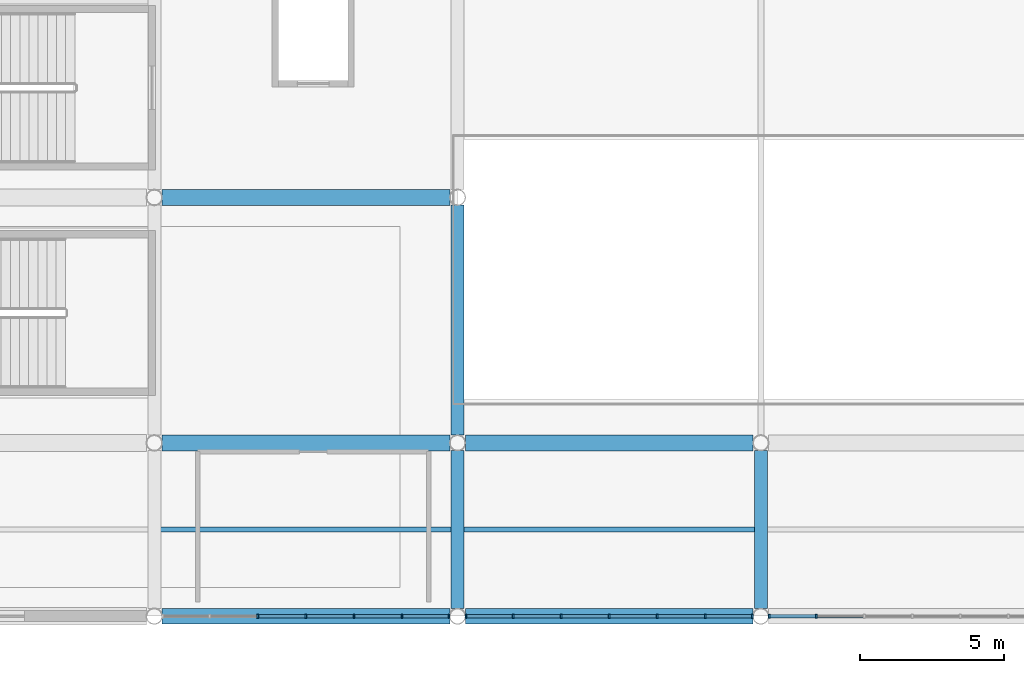
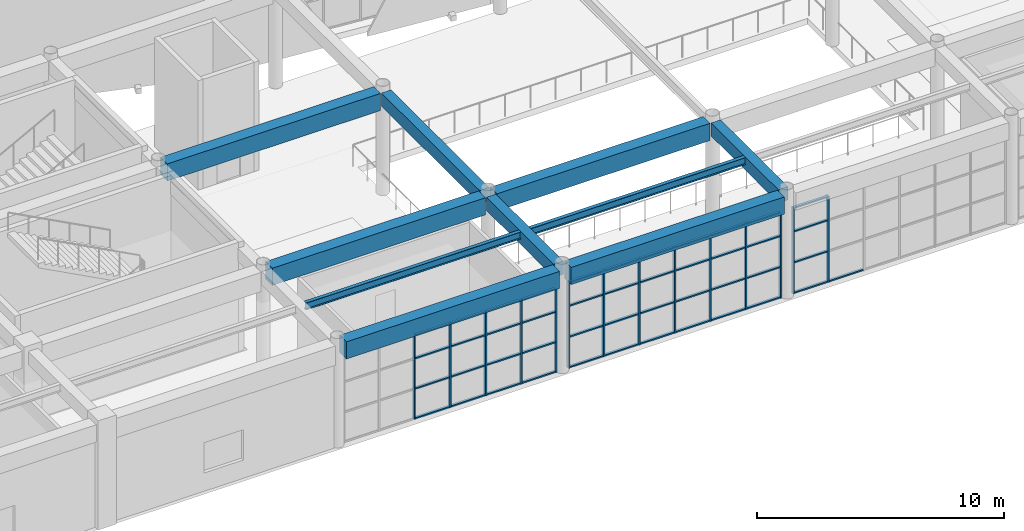
# One storey, part 22 of 120: 59 members, 10 beams, 3 elements without a shape of their own.
"""IFC4 building model written with IfcOpenShell, lengths in metres."""

from ifc_helpers import new_model, si_unit, direction, frame, origin, origin_2d, place, context, subcontext, project, spatial, rectangle, i_section, extrude, material, material_profile, profile_set, type_object, element, aggregate, save


model = new_model("IFC4")

# Units and contexts
model_context = context("Model", 3, precision=1e-05, world=origin(), true_north=direction((0.0, 1.0)))
body_context = subcontext(model_context, "Body", "Model", "MODEL_VIEW")
ifc_project = project(units=[si_unit("LENGTHUNIT", "METRE"), si_unit("AREAUNIT", "SQUARE_METRE"), si_unit("VOLUMEUNIT", "CUBIC_METRE"), si_unit("PLANEANGLEUNIT", "RADIAN"), si_unit("MASSUNIT", "GRAM", prefix="KILO")], contexts=[model_context])

# Site, building, storey
site_placement = place(None, origin())
site = spatial("IfcSite", under=ifc_project, at=site_placement, CompositionType="ELEMENT")
building_placement = place(site_placement, origin())
building = spatial("IfcBuilding", under=site, at=building_placement, Name="Cuetzalor Civic Arena", CompositionType="ELEMENT")
storey_placement = place(building_placement, frame((0.0, 0.0, 6.0)))
storey = spatial("IfcBuildingStorey", under=building, at=storey_placement, Name="L01", CompositionType="ELEMENT", Elevation=6.0)

# Beams
ifc_material_1 = material(Name="Concrete C40/50", Category="concrete")
ifc_material_profile_1 = material_profile(ifc_material_1, rectangle(XDim=0.550048828125, YDim=0.85009765625, at=origin_2d()), Name="RC 550x850")
ifc_profile_set_1 = profile_set([ifc_material_profile_1], Name="Concrete C40/50")
beam_type_1 = type_object("IfcBeamType", Name="ConcreteFrameBeam_550x850", PredefinedType="BEAM", material=ifc_profile_set_1)
for number, where, z_axis, x_axis, name in (
    (1, (-20.73046875, -71.5, 4.695068359375), (1.0, 0.0, 0.0), (0.0, 1.0, 0.0), "Frame Girder V3-L01-X0291"),
    (2, (-10.23046875, -71.5, 4.695068359375), (1.0, 0.0, 0.0), (0.0, 1.0, 0.0), "Frame Girder V3-L01-X0292"),
    (3, (-20.73046875, -65.5, 4.695068359375), (1.0, 0.0, 0.0), (0.0, 1.0, 0.0), "Frame Girder V3-L01-X0299"),
    (4, (-10.23046875, -65.5, 4.695068359375), (1.0, 0.0, 0.0), (0.0, 1.0, 0.0), "Frame Girder V3-L01-X0300"),
    (5, (-20.73046875, -57.0, 4.695068359375), (1.0, 0.0, 0.0), (0.0, 1.0, 0.0), "Frame Girder V3-L01-X0307"),
):
    element("IfcBeam", number, at=place(storey_placement, frame(where, z_axis=z_axis, x_axis=x_axis)), inside=storey, type_object=beam_type_1, Name=name, PredefinedType="BEAM", context=body_context, shape_type="SweptSolid", body=[
        extrude(rectangle(XDim=0.550048828125, YDim=0.85009765625, at=origin_2d()), origin(), (0.0, 0.0, 1.0), 9.9609375),
    ])
ifc_material_2 = material(Name="Concrete C40/50", Category="concrete")
ifc_material_profile_2 = material_profile(ifc_material_2, rectangle(XDim=0.449951171875, YDim=0.64990234375, at=origin_2d()), Name="RC 450x650")
ifc_profile_set_2 = profile_set([ifc_material_profile_2], Name="Concrete C40/50")
beam_type_2 = type_object("IfcBeamType", Name="ConcreteTieBeam_450x650", PredefinedType="BEAM", material=ifc_profile_set_2)
beam_1_placement = place(storey_placement, frame((-10.5, -71.23046875, 4.794921875), z_axis=(0.0, 1.0, 0.0), x_axis=(-1.0, 0.0, 0.0)))
element("IfcBeam", 6, at=beam_1_placement, inside=storey, type_object=beam_type_2, Name="Frame Girder V3-L01-Y0328", PredefinedType="BEAM", context=body_context, shape_type="SweptSolid", body=[
    extrude(rectangle(XDim=0.449951171875, YDim=0.64990234375, at=origin_2d()), origin(), (0.0, 0.0, 1.0), 5.4609375),
])
beam_2_placement = place(storey_placement, frame((-10.5, -65.23046875, 4.794921875), z_axis=(0.0, 1.0, 0.0), x_axis=(-1.0, 0.0, 0.0)))
element("IfcBeam", 7, at=beam_2_placement, inside=storey, type_object=beam_type_2, Name="Frame Girder V3-L01-Y0329", PredefinedType="BEAM", context=body_context, shape_type="SweptSolid", body=[
    extrude(rectangle(XDim=0.449951171875, YDim=0.64990234375, at=origin_2d()), origin(), (0.0, 0.0, 1.0), 7.9609375),
])
beam_3_placement = place(storey_placement, frame((0.0, -71.23046875, 4.794921875), z_axis=(0.0, 1.0, 0.0), x_axis=(-1.0, 0.0, 0.0)))
element("IfcBeam", 8, at=beam_3_placement, inside=storey, type_object=beam_type_2, Name="Frame Girder V3-L01-Y0331", PredefinedType="BEAM", context=body_context, shape_type="SweptSolid", body=[
    extrude(rectangle(XDim=0.449951171875, YDim=0.64990234375, at=origin_2d()), origin(), (0.0, 0.0, 1.0), 5.4609375),
])

# Curtain wall, members
ifc_material_3 = material(Name="Anodised dark bronze aluminium and low-E solar glass", Category="aluminium")
curtain_wall_type_1 = type_object("IfcCurtainWallType", Name="StickCW_10000x4150", PredefinedType="USERDEFINED", material=ifc_material_3)
curtain_wall_1_placement = place(storey_placement, origin())
curtain_wall_1 = element("IfcCurtainWall", 9, at=curtain_wall_1_placement, inside=storey, type_object=curtain_wall_type_1, Name="South Civic Square Curtain Wall L01-083", ObjectType="STICK CURTAIN WALL", PredefinedType="USERDEFINED")
ifc_material_4 = material(Name="Anodised dark bronze aluminium", Category="aluminium")
ifc_material_profile_3 = material_profile(ifc_material_4, rectangle(XDim=0.06494140625, YDim=0.14990234375, at=origin_2d()), Name="ALU MULLION 65x150")
ifc_profile_set_3 = profile_set([ifc_material_profile_3], Name="Anodised dark bronze aluminium")
member_type_1 = type_object("IfcMemberType", Name="CurtainWallMullion_60x150", PredefinedType="MULLION", material=ifc_profile_set_3)
member_1_placement = place(storey_placement, frame((-10.7939453125, -71.5, 0.0), z_axis=(0.0, 0.0, 1.0), x_axis=(-1.0, 0.0, 0.0)))
member_1 = element("IfcMember", 10, at=member_1_placement, type_object=member_type_1, Name="CW-25 mullion 1", PredefinedType="MULLION", context=body_context, shape_type="SweptSolid", body=[
    extrude(rectangle(XDim=0.06494140625, YDim=0.14990234375, at=origin_2d()), origin(), (0.0, 0.0, 1.0), 4.159912109375),
])
member_2_placement = place(storey_placement, frame((-12.42431640625, -71.5, 0.0), z_axis=(0.0, 0.0, 1.0), x_axis=(-1.0, 0.0, 0.0)))
member_2 = element("IfcMember", 11, at=member_2_placement, type_object=member_type_1, Name="CW-25 mullion 2", PredefinedType="MULLION", context=body_context, shape_type="SweptSolid", body=[
    extrude(rectangle(XDim=0.06494140625, YDim=0.14990234375, at=origin_2d()), origin(), (0.0, 0.0, 1.0), 4.159912109375),
])
member_3_placement = place(storey_placement, frame((-14.087158203125, -71.5, 0.0), z_axis=(0.0, 0.0, 1.0), x_axis=(-1.0, 0.0, 0.0)))
member_3 = element("IfcMember", 12, at=member_3_placement, type_object=member_type_1, Name="CW-25 mullion 3", PredefinedType="MULLION", context=body_context, shape_type="SweptSolid", body=[
    extrude(rectangle(XDim=0.06494140625, YDim=0.14990234375, at=origin_2d()), origin(), (0.0, 0.0, 1.0), 4.159912109375),
])
member_4_placement = place(storey_placement, frame((-15.75, -71.5, 0.0), z_axis=(0.0, 0.0, 1.0), x_axis=(-1.0, 0.0, 0.0)))
member_4 = element("IfcMember", 13, at=member_4_placement, type_object=member_type_1, Name="CW-25 mullion 4", PredefinedType="MULLION", context=body_context, shape_type="SweptSolid", body=[
    extrude(rectangle(XDim=0.06494140625, YDim=0.14990234375, at=origin_2d()), origin(), (0.0, 0.0, 1.0), 4.159912109375),
])
member_5_placement = place(storey_placement, frame((-17.412841796875, -71.5, 0.0), z_axis=(0.0, 0.0, 1.0), x_axis=(-1.0, 0.0, 0.0)))
member_5 = element("IfcMember", 14, at=member_5_placement, type_object=member_type_1, Name="CW-25 mullion 5", PredefinedType="MULLION", context=body_context, shape_type="SweptSolid", body=[
    extrude(rectangle(XDim=0.06494140625, YDim=0.14990234375, at=origin_2d()), origin(), (0.0, 0.0, 1.0), 4.159912109375),
])

ifc_material_5 = material(Name="Anodised dark bronze aluminium and low-E solar glass", Category="aluminium")
curtain_wall_type_2 = type_object("IfcCurtainWallType", Name="StickCW_10000x4250", PredefinedType="USERDEFINED", material=ifc_material_5)
curtain_wall_2_placement = place(storey_placement, origin())
curtain_wall_2 = element("IfcCurtainWall", 15, at=curtain_wall_2_placement, inside=storey, type_object=curtain_wall_type_2, Name="South Civic Square Curtain Wall L01-084", ObjectType="STICK CURTAIN WALL", PredefinedType="USERDEFINED")
member_6_placement = place(storey_placement, frame((-0.2939453125, -71.5, 0.0), z_axis=(0.0, 0.0, 1.0), x_axis=(-1.0, 0.0, 0.0)))
member_6 = element("IfcMember", 16, at=member_6_placement, type_object=member_type_1, Name="CW-26 mullion 1", PredefinedType="MULLION", context=body_context, shape_type="SweptSolid", body=[
    extrude(rectangle(XDim=0.06494140625, YDim=0.14990234375, at=origin_2d()), origin(), (0.0, 0.0, 1.0), 4.260009765625),
])
member_7_placement = place(storey_placement, frame((-1.92431640625, -71.5, 0.0), z_axis=(0.0, 0.0, 1.0), x_axis=(-1.0, 0.0, 0.0)))
member_7 = element("IfcMember", 17, at=member_7_placement, type_object=member_type_1, Name="CW-26 mullion 2", PredefinedType="MULLION", context=body_context, shape_type="SweptSolid", body=[
    extrude(rectangle(XDim=0.06494140625, YDim=0.14990234375, at=origin_2d()), origin(), (0.0, 0.0, 1.0), 4.260009765625),
])
member_8_placement = place(storey_placement, frame((-3.587158203125, -71.5, 0.0), z_axis=(0.0, 0.0, 1.0), x_axis=(-1.0, 0.0, 0.0)))
member_8 = element("IfcMember", 18, at=member_8_placement, type_object=member_type_1, Name="CW-26 mullion 3", PredefinedType="MULLION", context=body_context, shape_type="SweptSolid", body=[
    extrude(rectangle(XDim=0.06494140625, YDim=0.14990234375, at=origin_2d()), origin(), (0.0, 0.0, 1.0), 4.260009765625),
])
member_9_placement = place(storey_placement, frame((-5.25, -71.5, 0.0), z_axis=(0.0, 0.0, 1.0), x_axis=(-1.0, 0.0, 0.0)))
member_9 = element("IfcMember", 19, at=member_9_placement, type_object=member_type_1, Name="CW-26 mullion 4", PredefinedType="MULLION", context=body_context, shape_type="SweptSolid", body=[
    extrude(rectangle(XDim=0.06494140625, YDim=0.14990234375, at=origin_2d()), origin(), (0.0, 0.0, 1.0), 4.260009765625),
])
member_10_placement = place(storey_placement, frame((-6.912841796875, -71.5, 0.0), z_axis=(0.0, 0.0, 1.0), x_axis=(-1.0, 0.0, 0.0)))
member_10 = element("IfcMember", 20, at=member_10_placement, type_object=member_type_1, Name="CW-26 mullion 5", PredefinedType="MULLION", context=body_context, shape_type="SweptSolid", body=[
    extrude(rectangle(XDim=0.06494140625, YDim=0.14990234375, at=origin_2d()), origin(), (0.0, 0.0, 1.0), 4.260009765625),
])
member_11_placement = place(storey_placement, frame((-8.57568359375, -71.5, 0.0), z_axis=(0.0, 0.0, 1.0), x_axis=(-1.0, 0.0, 0.0)))
member_11 = element("IfcMember", 21, at=member_11_placement, type_object=member_type_1, Name="CW-26 mullion 6", PredefinedType="MULLION", context=body_context, shape_type="SweptSolid", body=[
    extrude(rectangle(XDim=0.06494140625, YDim=0.14990234375, at=origin_2d()), origin(), (0.0, 0.0, 1.0), 4.260009765625),
])
member_12_placement = place(storey_placement, frame((-10.2060546875, -71.5, 0.0), z_axis=(0.0, 0.0, 1.0), x_axis=(-1.0, 0.0, 0.0)))
member_12 = element("IfcMember", 22, at=member_12_placement, type_object=member_type_1, Name="CW-26 mullion 7", PredefinedType="MULLION", context=body_context, shape_type="SweptSolid", body=[
    extrude(rectangle(XDim=0.06494140625, YDim=0.14990234375, at=origin_2d()), origin(), (0.0, 0.0, 1.0), 4.260009765625),
])

curtain_wall_3_placement = place(storey_placement, origin())
curtain_wall_3 = element("IfcCurtainWall", 23, at=curtain_wall_3_placement, inside=storey, type_object=curtain_wall_type_2, Name="South Civic Square Curtain Wall L01-085", ObjectType="STICK CURTAIN WALL", PredefinedType="USERDEFINED")
member_13_placement = place(storey_placement, frame((1.92431640625, -71.5, 0.0), z_axis=(0.0, 0.0, 1.0), x_axis=(-1.0, 0.0, 0.0)))
member_13 = element("IfcMember", 24, at=member_13_placement, type_object=member_type_1, Name="CW-26 mullion 6", PredefinedType="MULLION", context=body_context, shape_type="SweptSolid", body=[
    extrude(rectangle(XDim=0.06494140625, YDim=0.14990234375, at=origin_2d()), origin(), (0.0, 0.0, 1.0), 4.260009765625),
])
member_14_placement = place(storey_placement, frame((0.2939453125, -71.5, 0.0), z_axis=(0.0, 0.0, 1.0), x_axis=(-1.0, 0.0, 0.0)))
member_14 = element("IfcMember", 25, at=member_14_placement, type_object=member_type_1, Name="CW-26 mullion 7", PredefinedType="MULLION", context=body_context, shape_type="SweptSolid", body=[
    extrude(rectangle(XDim=0.06494140625, YDim=0.14990234375, at=origin_2d()), origin(), (0.0, 0.0, 1.0), 4.260009765625),
])

# Member
ifc_material_6 = material(Name="Anodised dark bronze aluminium", Category="aluminium")
ifc_material_profile_4 = material_profile(ifc_material_6, rectangle(XDim=0.1201171875, YDim=0.06494140625, at=origin_2d()), Name="ALU TRANSOM 65x120")
ifc_profile_set_4 = profile_set([ifc_material_profile_4], Name="Anodised dark bronze aluminium")
member_type_2 = type_object("IfcMemberType", Name="CurtainWallTransom_60x120", PredefinedType="USERDEFINED", material=ifc_profile_set_4)
member_15_placement = place(storey_placement, frame((-10.826416015625, -71.5, 0.032470703125), z_axis=(-1.0, 0.0, 0.0), x_axis=(0.0, -1.0, 0.0)))
member_15 = element("IfcMember", 26, at=member_15_placement, type_object=member_type_2, Name="CW-25 transom 1.1", ObjectType="TRANSOM", PredefinedType="USERDEFINED", context=body_context, shape_type="SweptSolid", body=[
    extrude(rectangle(XDim=0.1201171875, YDim=0.06494140625, at=origin_2d()), origin(), (0.0, 0.0, 1.0), 1.5654296875),
])

member_16_placement = place(storey_placement, frame((-10.826416015625, -71.5, 1.498046875), z_axis=(-1.0, 0.0, 0.0), x_axis=(0.0, -1.0, 0.0)))
member_16 = element("IfcMember", 27, at=member_16_placement, type_object=member_type_2, Name="CW-25 transom 1.2", ObjectType="TRANSOM", PredefinedType="USERDEFINED", context=body_context, shape_type="SweptSolid", body=[
    extrude(rectangle(XDim=0.1201171875, YDim=0.06494140625, at=origin_2d()), origin(), (0.0, 0.0, 1.0), 1.5654296875),
])

member_17_placement = place(storey_placement, frame((-10.826416015625, -71.5, 2.9951171875), z_axis=(-1.0, 0.0, 0.0), x_axis=(0.0, -1.0, 0.0)))
member_17 = element("IfcMember", 28, at=member_17_placement, type_object=member_type_2, Name="CW-25 transom 1.3", ObjectType="TRANSOM", PredefinedType="USERDEFINED", context=body_context, shape_type="SweptSolid", body=[
    extrude(rectangle(XDim=0.1201171875, YDim=0.06494140625, at=origin_2d()), origin(), (0.0, 0.0, 1.0), 1.5654296875),
])

member_18_placement = place(storey_placement, frame((-10.826416015625, -71.5, 4.12744140625), z_axis=(-1.0, 0.0, 0.0), x_axis=(0.0, -1.0, 0.0)))
member_18 = element("IfcMember", 29, at=member_18_placement, type_object=member_type_2, Name="CW-25 transom 1.4", ObjectType="TRANSOM", PredefinedType="USERDEFINED", context=body_context, shape_type="SweptSolid", body=[
    extrude(rectangle(XDim=0.1201171875, YDim=0.06494140625, at=origin_2d()), origin(), (0.0, 0.0, 1.0), 1.5654296875),
])

member_19_placement = place(storey_placement, frame((-12.456787109375, -71.5, 0.032470703125), z_axis=(-1.0, 0.0, 0.0), x_axis=(0.0, -1.0, 0.0)))
member_19 = element("IfcMember", 30, at=member_19_placement, type_object=member_type_2, Name="CW-25 transom 2.1", ObjectType="TRANSOM", PredefinedType="USERDEFINED", context=body_context, shape_type="SweptSolid", body=[
    extrude(rectangle(XDim=0.1201171875, YDim=0.06494140625, at=origin_2d()), origin(), (0.0, 0.0, 1.0), 1.597900390625),
])

member_20_placement = place(storey_placement, frame((-12.456787109375, -71.5, 1.498046875), z_axis=(-1.0, 0.0, 0.0), x_axis=(0.0, -1.0, 0.0)))
member_20 = element("IfcMember", 31, at=member_20_placement, type_object=member_type_2, Name="CW-25 transom 2.2", ObjectType="TRANSOM", PredefinedType="USERDEFINED", context=body_context, shape_type="SweptSolid", body=[
    extrude(rectangle(XDim=0.1201171875, YDim=0.06494140625, at=origin_2d()), origin(), (0.0, 0.0, 1.0), 1.597900390625),
])

member_21_placement = place(storey_placement, frame((-12.456787109375, -71.5, 2.9951171875), z_axis=(-1.0, 0.0, 0.0), x_axis=(0.0, -1.0, 0.0)))
member_21 = element("IfcMember", 32, at=member_21_placement, type_object=member_type_2, Name="CW-25 transom 2.3", ObjectType="TRANSOM", PredefinedType="USERDEFINED", context=body_context, shape_type="SweptSolid", body=[
    extrude(rectangle(XDim=0.1201171875, YDim=0.06494140625, at=origin_2d()), origin(), (0.0, 0.0, 1.0), 1.597900390625),
])

member_22_placement = place(storey_placement, frame((-12.456787109375, -71.5, 4.12744140625), z_axis=(-1.0, 0.0, 0.0), x_axis=(0.0, -1.0, 0.0)))
member_22 = element("IfcMember", 33, at=member_22_placement, type_object=member_type_2, Name="CW-25 transom 2.4", ObjectType="TRANSOM", PredefinedType="USERDEFINED", context=body_context, shape_type="SweptSolid", body=[
    extrude(rectangle(XDim=0.1201171875, YDim=0.06494140625, at=origin_2d()), origin(), (0.0, 0.0, 1.0), 1.597900390625),
])

member_23_placement = place(storey_placement, frame((-14.11962890625, -71.5, 0.032470703125), z_axis=(-1.0, 0.0, 0.0), x_axis=(0.0, -1.0, 0.0)))
member_23 = element("IfcMember", 34, at=member_23_placement, type_object=member_type_2, Name="CW-25 transom 3.1", ObjectType="TRANSOM", PredefinedType="USERDEFINED", context=body_context, shape_type="SweptSolid", body=[
    extrude(rectangle(XDim=0.1201171875, YDim=0.06494140625, at=origin_2d()), origin(), (0.0, 0.0, 1.0), 1.597900390625),
])

member_24_placement = place(storey_placement, frame((-14.11962890625, -71.5, 1.498046875), z_axis=(-1.0, 0.0, 0.0), x_axis=(0.0, -1.0, 0.0)))
member_24 = element("IfcMember", 35, at=member_24_placement, type_object=member_type_2, Name="CW-25 transom 3.2", ObjectType="TRANSOM", PredefinedType="USERDEFINED", context=body_context, shape_type="SweptSolid", body=[
    extrude(rectangle(XDim=0.1201171875, YDim=0.06494140625, at=origin_2d()), origin(), (0.0, 0.0, 1.0), 1.597900390625),
])

member_25_placement = place(storey_placement, frame((-14.11962890625, -71.5, 2.9951171875), z_axis=(-1.0, 0.0, 0.0), x_axis=(0.0, -1.0, 0.0)))
member_25 = element("IfcMember", 36, at=member_25_placement, type_object=member_type_2, Name="CW-25 transom 3.3", ObjectType="TRANSOM", PredefinedType="USERDEFINED", context=body_context, shape_type="SweptSolid", body=[
    extrude(rectangle(XDim=0.1201171875, YDim=0.06494140625, at=origin_2d()), origin(), (0.0, 0.0, 1.0), 1.597900390625),
])

member_26_placement = place(storey_placement, frame((-14.11962890625, -71.5, 4.12744140625), z_axis=(-1.0, 0.0, 0.0), x_axis=(0.0, -1.0, 0.0)))
member_26 = element("IfcMember", 37, at=member_26_placement, type_object=member_type_2, Name="CW-25 transom 3.4", ObjectType="TRANSOM", PredefinedType="USERDEFINED", context=body_context, shape_type="SweptSolid", body=[
    extrude(rectangle(XDim=0.1201171875, YDim=0.06494140625, at=origin_2d()), origin(), (0.0, 0.0, 1.0), 1.597900390625),
])

member_27_placement = place(storey_placement, frame((-15.782470703125, -71.5, 0.032470703125), z_axis=(-1.0, 0.0, 0.0), x_axis=(0.0, -1.0, 0.0)))
member_27 = element("IfcMember", 38, at=member_27_placement, type_object=member_type_2, Name="CW-25 transom 4.1", ObjectType="TRANSOM", PredefinedType="USERDEFINED", context=body_context, shape_type="SweptSolid", body=[
    extrude(rectangle(XDim=0.1201171875, YDim=0.06494140625, at=origin_2d()), origin(), (0.0, 0.0, 1.0), 1.597900390625),
])

member_28_placement = place(storey_placement, frame((-15.782470703125, -71.5, 1.498046875), z_axis=(-1.0, 0.0, 0.0), x_axis=(0.0, -1.0, 0.0)))
member_28 = element("IfcMember", 39, at=member_28_placement, type_object=member_type_2, Name="CW-25 transom 4.2", ObjectType="TRANSOM", PredefinedType="USERDEFINED", context=body_context, shape_type="SweptSolid", body=[
    extrude(rectangle(XDim=0.1201171875, YDim=0.06494140625, at=origin_2d()), origin(), (0.0, 0.0, 1.0), 1.597900390625),
])

member_29_placement = place(storey_placement, frame((-15.782470703125, -71.5, 2.9951171875), z_axis=(-1.0, 0.0, 0.0), x_axis=(0.0, -1.0, 0.0)))
member_29 = element("IfcMember", 40, at=member_29_placement, type_object=member_type_2, Name="CW-25 transom 4.3", ObjectType="TRANSOM", PredefinedType="USERDEFINED", context=body_context, shape_type="SweptSolid", body=[
    extrude(rectangle(XDim=0.1201171875, YDim=0.06494140625, at=origin_2d()), origin(), (0.0, 0.0, 1.0), 1.597900390625),
])

member_30_placement = place(storey_placement, frame((-15.782470703125, -71.5, 4.12744140625), z_axis=(-1.0, 0.0, 0.0), x_axis=(0.0, -1.0, 0.0)))
member_30 = element("IfcMember", 41, at=member_30_placement, type_object=member_type_2, Name="CW-25 transom 4.4", ObjectType="TRANSOM", PredefinedType="USERDEFINED", context=body_context, shape_type="SweptSolid", body=[
    extrude(rectangle(XDim=0.1201171875, YDim=0.06494140625, at=origin_2d()), origin(), (0.0, 0.0, 1.0), 1.597900390625),
])

aggregate(curtain_wall_1, [member_1, member_2, member_3, member_4, member_5, member_15, member_16, member_17, member_18, member_19, member_20, member_21, member_22, member_23, member_24, member_25, member_26, member_27, member_28, member_29, member_30])

member_31_placement = place(storey_placement, frame((-0.326416015625, -71.5, 0.032470703125), z_axis=(-1.0, 0.0, 0.0), x_axis=(0.0, -1.0, 0.0)))
member_31 = element("IfcMember", 42, at=member_31_placement, type_object=member_type_2, Name="CW-26 transom 1.1", ObjectType="TRANSOM", PredefinedType="USERDEFINED", context=body_context, shape_type="SweptSolid", body=[
    extrude(rectangle(XDim=0.1201171875, YDim=0.06494140625, at=origin_2d()), origin(), (0.0, 0.0, 1.0), 1.5654296875),
])

member_32_placement = place(storey_placement, frame((-0.326416015625, -71.5, 1.533935546875), z_axis=(-1.0, 0.0, 0.0), x_axis=(0.0, -1.0, 0.0)))
member_32 = element("IfcMember", 43, at=member_32_placement, type_object=member_type_2, Name="CW-26 transom 1.2", ObjectType="TRANSOM", PredefinedType="USERDEFINED", context=body_context, shape_type="SweptSolid", body=[
    extrude(rectangle(XDim=0.1201171875, YDim=0.06494140625, at=origin_2d()), origin(), (0.0, 0.0, 1.0), 1.5654296875),
])

member_33_placement = place(storey_placement, frame((-0.326416015625, -71.5, 3.06689453125), z_axis=(-1.0, 0.0, 0.0), x_axis=(0.0, -1.0, 0.0)))
member_33 = element("IfcMember", 44, at=member_33_placement, type_object=member_type_2, Name="CW-26 transom 1.3", ObjectType="TRANSOM", PredefinedType="USERDEFINED", context=body_context, shape_type="SweptSolid", body=[
    extrude(rectangle(XDim=0.1201171875, YDim=0.06494140625, at=origin_2d()), origin(), (0.0, 0.0, 1.0), 1.5654296875),
])

member_34_placement = place(storey_placement, frame((-0.326416015625, -71.5, 4.2275390625), z_axis=(-1.0, 0.0, 0.0), x_axis=(0.0, -1.0, 0.0)))
member_34 = element("IfcMember", 45, at=member_34_placement, type_object=member_type_2, Name="CW-26 transom 1.4", ObjectType="TRANSOM", PredefinedType="USERDEFINED", context=body_context, shape_type="SweptSolid", body=[
    extrude(rectangle(XDim=0.1201171875, YDim=0.06494140625, at=origin_2d()), origin(), (0.0, 0.0, 1.0), 1.5654296875),
])

member_35_placement = place(storey_placement, frame((-1.956787109375, -71.5, 0.032470703125), z_axis=(-1.0, 0.0, 0.0), x_axis=(0.0, -1.0, 0.0)))
member_35 = element("IfcMember", 46, at=member_35_placement, type_object=member_type_2, Name="CW-26 transom 2.1", ObjectType="TRANSOM", PredefinedType="USERDEFINED", context=body_context, shape_type="SweptSolid", body=[
    extrude(rectangle(XDim=0.1201171875, YDim=0.06494140625, at=origin_2d()), origin(), (0.0, 0.0, 1.0), 1.597900390625),
])

member_36_placement = place(storey_placement, frame((-1.956787109375, -71.5, 1.533935546875), z_axis=(-1.0, 0.0, 0.0), x_axis=(0.0, -1.0, 0.0)))
member_36 = element("IfcMember", 47, at=member_36_placement, type_object=member_type_2, Name="CW-26 transom 2.2", ObjectType="TRANSOM", PredefinedType="USERDEFINED", context=body_context, shape_type="SweptSolid", body=[
    extrude(rectangle(XDim=0.1201171875, YDim=0.06494140625, at=origin_2d()), origin(), (0.0, 0.0, 1.0), 1.597900390625),
])

member_37_placement = place(storey_placement, frame((-1.956787109375, -71.5, 3.06689453125), z_axis=(-1.0, 0.0, 0.0), x_axis=(0.0, -1.0, 0.0)))
member_37 = element("IfcMember", 48, at=member_37_placement, type_object=member_type_2, Name="CW-26 transom 2.3", ObjectType="TRANSOM", PredefinedType="USERDEFINED", context=body_context, shape_type="SweptSolid", body=[
    extrude(rectangle(XDim=0.1201171875, YDim=0.06494140625, at=origin_2d()), origin(), (0.0, 0.0, 1.0), 1.597900390625),
])

member_38_placement = place(storey_placement, frame((-1.956787109375, -71.5, 4.2275390625), z_axis=(-1.0, 0.0, 0.0), x_axis=(0.0, -1.0, 0.0)))
member_38 = element("IfcMember", 49, at=member_38_placement, type_object=member_type_2, Name="CW-26 transom 2.4", ObjectType="TRANSOM", PredefinedType="USERDEFINED", context=body_context, shape_type="SweptSolid", body=[
    extrude(rectangle(XDim=0.1201171875, YDim=0.06494140625, at=origin_2d()), origin(), (0.0, 0.0, 1.0), 1.597900390625),
])

member_39_placement = place(storey_placement, frame((-3.61962890625, -71.5, 0.032470703125), z_axis=(-1.0, 0.0, 0.0), x_axis=(0.0, -1.0, 0.0)))
member_39 = element("IfcMember", 50, at=member_39_placement, type_object=member_type_2, Name="CW-26 transom 3.1", ObjectType="TRANSOM", PredefinedType="USERDEFINED", context=body_context, shape_type="SweptSolid", body=[
    extrude(rectangle(XDim=0.1201171875, YDim=0.06494140625, at=origin_2d()), origin(), (0.0, 0.0, 1.0), 1.597900390625),
])

member_40_placement = place(storey_placement, frame((-3.61962890625, -71.5, 1.533935546875), z_axis=(-1.0, 0.0, 0.0), x_axis=(0.0, -1.0, 0.0)))
member_40 = element("IfcMember", 51, at=member_40_placement, type_object=member_type_2, Name="CW-26 transom 3.2", ObjectType="TRANSOM", PredefinedType="USERDEFINED", context=body_context, shape_type="SweptSolid", body=[
    extrude(rectangle(XDim=0.1201171875, YDim=0.06494140625, at=origin_2d()), origin(), (0.0, 0.0, 1.0), 1.597900390625),
])

member_41_placement = place(storey_placement, frame((-3.61962890625, -71.5, 3.06689453125), z_axis=(-1.0, 0.0, 0.0), x_axis=(0.0, -1.0, 0.0)))
member_41 = element("IfcMember", 52, at=member_41_placement, type_object=member_type_2, Name="CW-26 transom 3.3", ObjectType="TRANSOM", PredefinedType="USERDEFINED", context=body_context, shape_type="SweptSolid", body=[
    extrude(rectangle(XDim=0.1201171875, YDim=0.06494140625, at=origin_2d()), origin(), (0.0, 0.0, 1.0), 1.597900390625),
])

member_42_placement = place(storey_placement, frame((-3.61962890625, -71.5, 4.2275390625), z_axis=(-1.0, 0.0, 0.0), x_axis=(0.0, -1.0, 0.0)))
member_42 = element("IfcMember", 53, at=member_42_placement, type_object=member_type_2, Name="CW-26 transom 3.4", ObjectType="TRANSOM", PredefinedType="USERDEFINED", context=body_context, shape_type="SweptSolid", body=[
    extrude(rectangle(XDim=0.1201171875, YDim=0.06494140625, at=origin_2d()), origin(), (0.0, 0.0, 1.0), 1.597900390625),
])

member_43_placement = place(storey_placement, frame((-5.282470703125, -71.5, 0.032470703125), z_axis=(-1.0, 0.0, 0.0), x_axis=(0.0, -1.0, 0.0)))
member_43 = element("IfcMember", 54, at=member_43_placement, type_object=member_type_2, Name="CW-26 transom 4.1", ObjectType="TRANSOM", PredefinedType="USERDEFINED", context=body_context, shape_type="SweptSolid", body=[
    extrude(rectangle(XDim=0.1201171875, YDim=0.06494140625, at=origin_2d()), origin(), (0.0, 0.0, 1.0), 1.597900390625),
])

member_44_placement = place(storey_placement, frame((-5.282470703125, -71.5, 1.533935546875), z_axis=(-1.0, 0.0, 0.0), x_axis=(0.0, -1.0, 0.0)))
member_44 = element("IfcMember", 55, at=member_44_placement, type_object=member_type_2, Name="CW-26 transom 4.2", ObjectType="TRANSOM", PredefinedType="USERDEFINED", context=body_context, shape_type="SweptSolid", body=[
    extrude(rectangle(XDim=0.1201171875, YDim=0.06494140625, at=origin_2d()), origin(), (0.0, 0.0, 1.0), 1.597900390625),
])

member_45_placement = place(storey_placement, frame((-5.282470703125, -71.5, 3.06689453125), z_axis=(-1.0, 0.0, 0.0), x_axis=(0.0, -1.0, 0.0)))
member_45 = element("IfcMember", 56, at=member_45_placement, type_object=member_type_2, Name="CW-26 transom 4.3", ObjectType="TRANSOM", PredefinedType="USERDEFINED", context=body_context, shape_type="SweptSolid", body=[
    extrude(rectangle(XDim=0.1201171875, YDim=0.06494140625, at=origin_2d()), origin(), (0.0, 0.0, 1.0), 1.597900390625),
])

member_46_placement = place(storey_placement, frame((-5.282470703125, -71.5, 4.2275390625), z_axis=(-1.0, 0.0, 0.0), x_axis=(0.0, -1.0, 0.0)))
member_46 = element("IfcMember", 57, at=member_46_placement, type_object=member_type_2, Name="CW-26 transom 4.4", ObjectType="TRANSOM", PredefinedType="USERDEFINED", context=body_context, shape_type="SweptSolid", body=[
    extrude(rectangle(XDim=0.1201171875, YDim=0.06494140625, at=origin_2d()), origin(), (0.0, 0.0, 1.0), 1.597900390625),
])

member_47_placement = place(storey_placement, frame((-6.9453125, -71.5, 0.032470703125), z_axis=(-1.0, 0.0, 0.0), x_axis=(0.0, -1.0, 0.0)))
member_47 = element("IfcMember", 58, at=member_47_placement, type_object=member_type_2, Name="CW-26 transom 5.1", ObjectType="TRANSOM", PredefinedType="USERDEFINED", context=body_context, shape_type="SweptSolid", body=[
    extrude(rectangle(XDim=0.1201171875, YDim=0.06494140625, at=origin_2d()), origin(), (0.0, 0.0, 1.0), 1.597900390625),
])

member_48_placement = place(storey_placement, frame((-6.9453125, -71.5, 1.533935546875), z_axis=(-1.0, 0.0, 0.0), x_axis=(0.0, -1.0, 0.0)))
member_48 = element("IfcMember", 59, at=member_48_placement, type_object=member_type_2, Name="CW-26 transom 5.2", ObjectType="TRANSOM", PredefinedType="USERDEFINED", context=body_context, shape_type="SweptSolid", body=[
    extrude(rectangle(XDim=0.1201171875, YDim=0.06494140625, at=origin_2d()), origin(), (0.0, 0.0, 1.0), 1.597900390625),
])

member_49_placement = place(storey_placement, frame((-6.9453125, -71.5, 3.06689453125), z_axis=(-1.0, 0.0, 0.0), x_axis=(0.0, -1.0, 0.0)))
member_49 = element("IfcMember", 60, at=member_49_placement, type_object=member_type_2, Name="CW-26 transom 5.3", ObjectType="TRANSOM", PredefinedType="USERDEFINED", context=body_context, shape_type="SweptSolid", body=[
    extrude(rectangle(XDim=0.1201171875, YDim=0.06494140625, at=origin_2d()), origin(), (0.0, 0.0, 1.0), 1.597900390625),
])

member_50_placement = place(storey_placement, frame((-6.9453125, -71.5, 4.2275390625), z_axis=(-1.0, 0.0, 0.0), x_axis=(0.0, -1.0, 0.0)))
member_50 = element("IfcMember", 61, at=member_50_placement, type_object=member_type_2, Name="CW-26 transom 5.4", ObjectType="TRANSOM", PredefinedType="USERDEFINED", context=body_context, shape_type="SweptSolid", body=[
    extrude(rectangle(XDim=0.1201171875, YDim=0.06494140625, at=origin_2d()), origin(), (0.0, 0.0, 1.0), 1.597900390625),
])

member_51_placement = place(storey_placement, frame((-8.608154296875, -71.5, 0.032470703125), z_axis=(-1.0, 0.0, 0.0), x_axis=(0.0, -1.0, 0.0)))
member_51 = element("IfcMember", 62, at=member_51_placement, type_object=member_type_2, Name="CW-26 transom 6.1", ObjectType="TRANSOM", PredefinedType="USERDEFINED", context=body_context, shape_type="SweptSolid", body=[
    extrude(rectangle(XDim=0.1201171875, YDim=0.06494140625, at=origin_2d()), origin(), (0.0, 0.0, 1.0), 1.5654296875),
])

member_52_placement = place(storey_placement, frame((-8.608154296875, -71.5, 1.533935546875), z_axis=(-1.0, 0.0, 0.0), x_axis=(0.0, -1.0, 0.0)))
member_52 = element("IfcMember", 63, at=member_52_placement, type_object=member_type_2, Name="CW-26 transom 6.2", ObjectType="TRANSOM", PredefinedType="USERDEFINED", context=body_context, shape_type="SweptSolid", body=[
    extrude(rectangle(XDim=0.1201171875, YDim=0.06494140625, at=origin_2d()), origin(), (0.0, 0.0, 1.0), 1.5654296875),
])

member_53_placement = place(storey_placement, frame((-8.608154296875, -71.5, 3.06689453125), z_axis=(-1.0, 0.0, 0.0), x_axis=(0.0, -1.0, 0.0)))
member_53 = element("IfcMember", 64, at=member_53_placement, type_object=member_type_2, Name="CW-26 transom 6.3", ObjectType="TRANSOM", PredefinedType="USERDEFINED", context=body_context, shape_type="SweptSolid", body=[
    extrude(rectangle(XDim=0.1201171875, YDim=0.06494140625, at=origin_2d()), origin(), (0.0, 0.0, 1.0), 1.5654296875),
])

member_54_placement = place(storey_placement, frame((-8.608154296875, -71.5, 4.2275390625), z_axis=(-1.0, 0.0, 0.0), x_axis=(0.0, -1.0, 0.0)))
member_54 = element("IfcMember", 65, at=member_54_placement, type_object=member_type_2, Name="CW-26 transom 6.4", ObjectType="TRANSOM", PredefinedType="USERDEFINED", context=body_context, shape_type="SweptSolid", body=[
    extrude(rectangle(XDim=0.1201171875, YDim=0.06494140625, at=origin_2d()), origin(), (0.0, 0.0, 1.0), 1.5654296875),
])

aggregate(curtain_wall_2, [member_6, member_7, member_8, member_9, member_10, member_11, member_12, member_31, member_32, member_33, member_34, member_35, member_36, member_37, member_38, member_39, member_40, member_41, member_42, member_43, member_44, member_45, member_46, member_47, member_48, member_49, member_50, member_51, member_52, member_53, member_54])

member_55_placement = place(storey_placement, frame((3.5546875, -71.5, 0.032470703125), z_axis=(-1.0, 0.0, 0.0), x_axis=(0.0, -1.0, 0.0)))
member_55 = element("IfcMember", 66, at=member_55_placement, type_object=member_type_2, Name="CW-26 transom 5.1", ObjectType="TRANSOM", PredefinedType="USERDEFINED", context=body_context, shape_type="SweptSolid", body=[
    extrude(rectangle(XDim=0.1201171875, YDim=0.06494140625, at=origin_2d()), origin(), (0.0, 0.0, 1.0), 1.597900390625),
])

member_56_placement = place(storey_placement, frame((1.891845703125, -71.5, 0.032470703125), z_axis=(-1.0, 0.0, 0.0), x_axis=(0.0, -1.0, 0.0)))
member_56 = element("IfcMember", 67, at=member_56_placement, type_object=member_type_2, Name="CW-26 transom 6.1", ObjectType="TRANSOM", PredefinedType="USERDEFINED", context=body_context, shape_type="SweptSolid", body=[
    extrude(rectangle(XDim=0.1201171875, YDim=0.06494140625, at=origin_2d()), origin(), (0.0, 0.0, 1.0), 1.5654296875),
])

member_57_placement = place(storey_placement, frame((1.891845703125, -71.5, 1.533935546875), z_axis=(-1.0, 0.0, 0.0), x_axis=(0.0, -1.0, 0.0)))
member_57 = element("IfcMember", 68, at=member_57_placement, type_object=member_type_2, Name="CW-26 transom 6.2", ObjectType="TRANSOM", PredefinedType="USERDEFINED", context=body_context, shape_type="SweptSolid", body=[
    extrude(rectangle(XDim=0.1201171875, YDim=0.06494140625, at=origin_2d()), origin(), (0.0, 0.0, 1.0), 1.5654296875),
])

member_58_placement = place(storey_placement, frame((1.891845703125, -71.5, 3.06689453125), z_axis=(-1.0, 0.0, 0.0), x_axis=(0.0, -1.0, 0.0)))
member_58 = element("IfcMember", 69, at=member_58_placement, type_object=member_type_2, Name="CW-26 transom 6.3", ObjectType="TRANSOM", PredefinedType="USERDEFINED", context=body_context, shape_type="SweptSolid", body=[
    extrude(rectangle(XDim=0.1201171875, YDim=0.06494140625, at=origin_2d()), origin(), (0.0, 0.0, 1.0), 1.5654296875),
])

member_59_placement = place(storey_placement, frame((1.891845703125, -71.5, 4.2275390625), z_axis=(-1.0, 0.0, 0.0), x_axis=(0.0, -1.0, 0.0)))
member_59 = element("IfcMember", 70, at=member_59_placement, type_object=member_type_2, Name="CW-26 transom 6.4", ObjectType="TRANSOM", PredefinedType="USERDEFINED", context=body_context, shape_type="SweptSolid", body=[
    extrude(rectangle(XDim=0.1201171875, YDim=0.06494140625, at=origin_2d()), origin(), (0.0, 0.0, 1.0), 1.5654296875),
])

aggregate(curtain_wall_3, [member_13, member_14, member_55, member_56, member_57, member_58, member_59])

# Beams
ifc_material_7 = material(Name="Steel S355", Category="steel")
ifc_material_profile_5 = material_profile(ifc_material_7, i_section(OverallWidth=0.1708984375, OverallDepth=0.35498046875, WebThickness=0.007080078125, FlangeThickness=0.01171875, at=origin_2d()), Name="W360x51")
ifc_profile_set_5 = profile_set([ifc_material_profile_5], Name="Steel S355")
beam_type_3 = type_object("IfcBeamType", Name="SecondaryFloorJoist_W360", PredefinedType="JOIST", material=ifc_profile_set_5)
for number, where, z_axis, x_axis, name in (
    (71, (-20.782958984375, -68.5, 4.9423828125), (1.0, 0.0, 0.0), (0.0, 1.0, 0.0), "Secondary Floor Joist V3-L01-0096"),
    (72, (-10.282958984375, -68.5, 4.9423828125), (1.0, 0.0, 0.0), (0.0, 1.0, 0.0), "Secondary Floor Joist V3-L01-0097"),
):
    element("IfcBeam", number, at=place(storey_placement, frame(where, z_axis=z_axis, x_axis=x_axis)), inside=storey, type_object=beam_type_3, Name=name, PredefinedType="JOIST", context=body_context, shape_type="SweptSolid", body=[
        extrude(i_section(OverallWidth=0.1708984375, OverallDepth=0.35498046875, WebThickness=0.007080078125, FlangeThickness=0.01171875, at=origin_2d()), origin(), (0.0, 0.0, 1.0), 10.06591796875),
    ])

save(model, "model.ifc")
